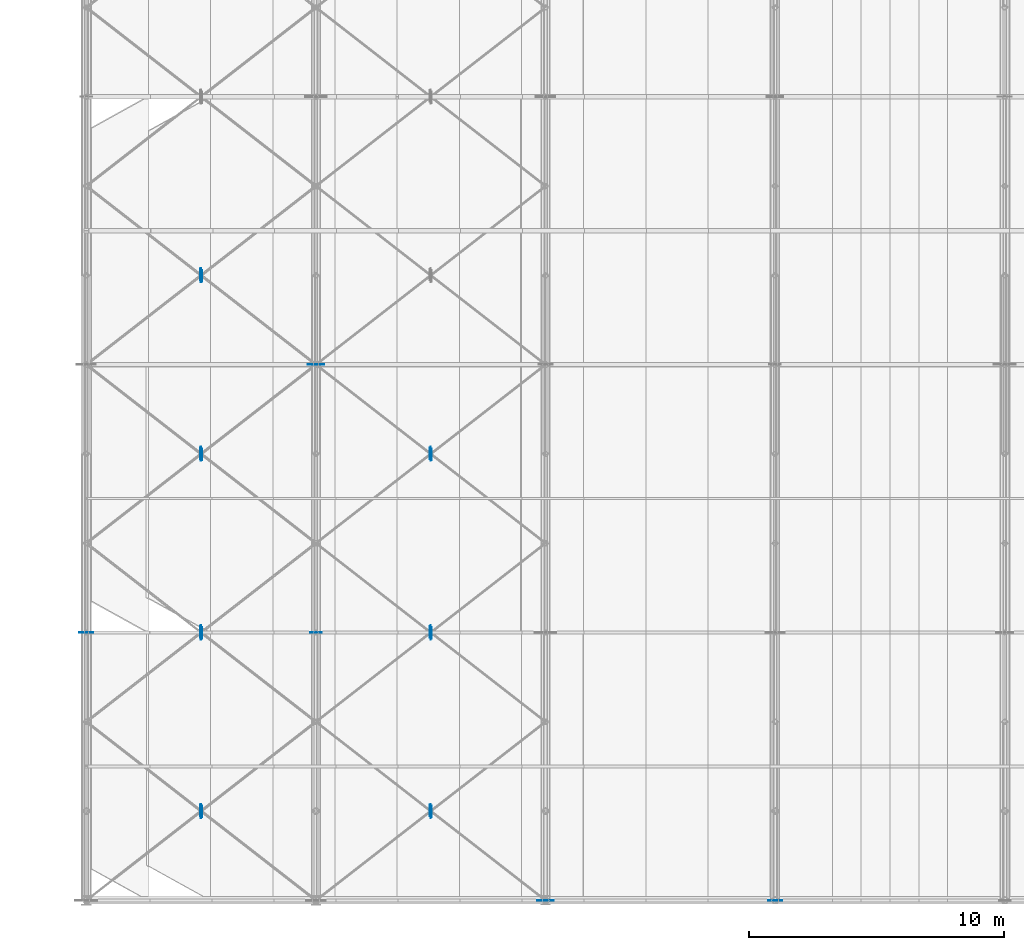
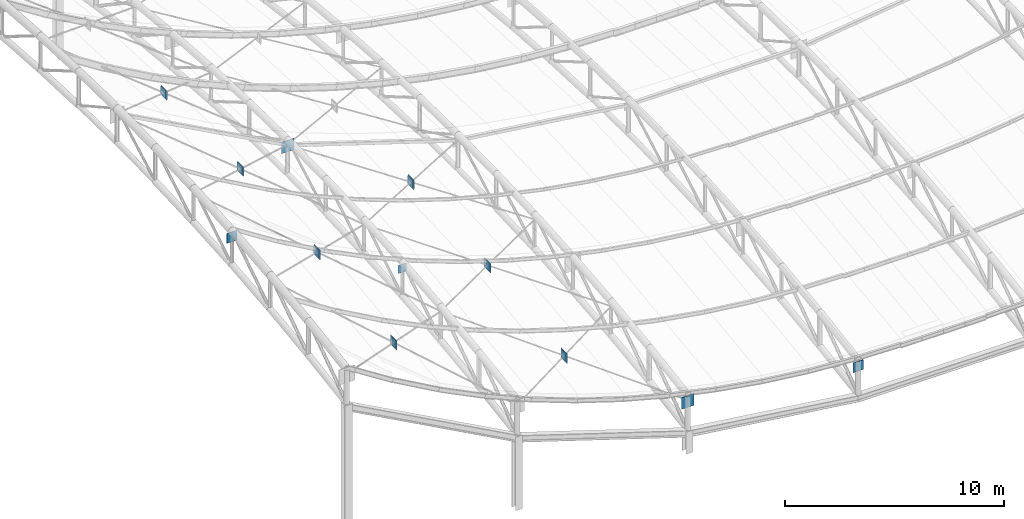
# One storey, part 238 of 262: 26 plates.
"""IFC4 building model written with IfcOpenShell, lengths in metres."""

from ifc_helpers import new_model, si_unit, derived_unit, direction, frame, origin, origin_2d, place, context, subcontext, project, spatial, rectangle, extrude, material, layer, layer_set, type_object, element, save


model = new_model("IFC4")

# Units and contexts
model_context = context("Model", 3, precision=1e-05, world=origin(), true_north=direction((0.0, 1.0)))
body_context = subcontext(model_context, "Body", "Model", "MODEL_VIEW")
ifc_project = project(units=[si_unit("LENGTHUNIT", "METRE"), si_unit("AREAUNIT", "SQUARE_METRE"), si_unit("VOLUMEUNIT", "CUBIC_METRE"), si_unit("PLANEANGLEUNIT", "RADIAN"), si_unit("MASSUNIT", "GRAM", prefix="KILO"), derived_unit("THERMALTRANSMITTANCEUNIT", [(si_unit("POWERUNIT", "WATT"), 1), (si_unit("LENGTHUNIT", "METRE"), -2), (si_unit("THERMODYNAMICTEMPERATUREUNIT", "KELVIN"), -1)])], contexts=[model_context])

# Site, building, storey
site_placement = place(None, origin())
site = spatial("IfcSite", under=ifc_project, at=site_placement, CompositionType="ELEMENT")
building_placement = place(site_placement, origin())
building = spatial("IfcBuilding", under=site, at=building_placement, Name="Almenara Railside Exhibition Hall", CompositionType="ELEMENT")
storey_placement = place(building_placement, frame((0.0, 0.0, 21.699951171875)))
storey = spatial("IfcBuildingStorey", under=building, at=storey_placement, Name="RF", CompositionType="ELEMENT", Elevation=21.699951171875)

# Plates
ifc_material = material(Name="Structural steel S355JR", Category="steel")
ifc_layer_1 = layer(ifc_material, 0.011962890625, Name="Structural steel S355JR")
ifc_layer_set_1 = layer_set([ifc_layer_1], Name="Structural steel S355JR")
plate_type_1 = type_object("IfcPlateType", Name="Truss Node Gusset Plate 12mm S355JR", PredefinedType="USERDEFINED", material=ifc_layer_set_1)
for number, where, z_axis, x_axis, name in (
    (1, (12.0, 10.5, -3.22412109375), (0.0, 0.0, 1.0), (1.0, 0.0, 0.0), "PLT-GUS-0231"),
    (2, (7.46875, 3.524169921875, -1.5341796875), (0.0, 0.0, 1.0), (0.0, 1.0, 0.0), "PLT-GUS-0271"),
    (3, (7.53125, 3.475830078125, -1.57470703125), (0.0, 0.0, 1.0), (0.0, 1.0, 0.0), "PLT-GUS-0272"),
    (4, (7.468505859375, 10.524658203125, -0.7353515625), (0.0, 0.0, 1.0), (0.0, 1.0, 0.0), "PLT-GUS-0274"),
    (5, (7.531494140625, 10.475341796875, -0.77392578125), (0.0, 0.0, 1.0), (0.0, 1.0, 0.0), "PLT-GUS-0275"),
    (6, (7.468017578125, 17.52490234375, -0.33642578125), (0.0, 0.0, 1.0), (0.0, 1.0, 0.0), "PLT-GUS-0277"),
    (7, (7.531982421875, 17.47509765625, -0.37255859375), (0.0, 0.0, 1.0), (0.0, 1.0, 0.0), "PLT-GUS-0278"),
    (8, (7.467529296875, 24.525146484375, -0.33740234375), (0.0, 0.0, 1.0), (0.0, 1.0, 0.0), "PLT-GUS-0280"),
    (9, (7.532470703125, 24.474853515625, -0.37109375), (0.0, 0.0, 1.0), (0.0, 1.0, 0.0), "PLT-GUS-0281"),
    (10, (16.4716796875, 3.522216796875, -5.427734375), (0.0, 0.0, 1.0), (0.0, 1.0, 0.0), "PLT-GUS-0289"),
    (11, (16.5283203125, 3.477783203125, -5.4521484375), (0.0, 0.0, 1.0), (0.0, 1.0, 0.0), "PLT-GUS-0290"),
    (12, (16.47119140625, 10.522216796875, -4.62841796875), (0.0, 0.0, 1.0), (0.0, 1.0, 0.0), "PLT-GUS-0292"),
    (13, (16.52880859375, 10.477783203125, -4.65087890625), (0.0, 0.0, 1.0), (0.0, 1.0, 0.0), "PLT-GUS-0293"),
    (14, (16.470947265625, 17.522705078125, -4.22998046875), (0.0, 0.0, 1.0), (0.0, 1.0, 0.0), "PLT-GUS-0295"),
    (15, (16.529052734375, 17.477294921875, -4.24951171875), (0.0, 0.0, 1.0), (0.0, 1.0, 0.0), "PLT-GUS-0296"),
):
    element("IfcPlate", number, at=place(storey_placement, frame(where, z_axis=z_axis, x_axis=x_axis)), inside=storey, type_object=plate_type_1, Name=name, ObjectType="GUSSET_PLATE", PredefinedType="USERDEFINED", context=body_context, shape_type="SweptSolid", body=[
        extrude(rectangle(XDim=0.449951171875, YDim=0.011962890625, at=origin_2d()), origin(), (0.0, 0.0, 1.0), 0.449951171875),
    ])
ifc_layer_2 = layer(ifc_material, 0.01611328125, Name="Structural steel S355JR")
ifc_layer_set_2 = layer_set([ifc_layer_2], Name="Structural steel S355JR")
plate_type_2 = type_object("IfcPlateType", Name="Truss Node Gusset Plate 16mm S355JR", PredefinedType="USERDEFINED", material=ifc_layer_set_2)
for number, where, z_axis, x_axis, name in (
    (16, (3.0, 10.5, 1.625), (0.0, 0.0, 1.0), (1.0, 0.0, 0.0), "PLT-GUS-0226"),
    (17, (30.0, 0.0, -8.6767578125), (0.0, 0.0, 1.0), (1.0, 0.0, 0.0), "PLT-GUS-0240"),
    (18, (7.5, 3.5, -1.6044921875), (0.0, 0.0, 1.0), (0.0, 1.0, 0.0), "PLT-GUS-0270"),
    (19, (7.5, 10.5, -0.8046875), (0.0, 0.0, 1.0), (0.0, 1.0, 0.0), "PLT-GUS-0273"),
    (20, (7.5, 17.5, -0.404296875), (0.0, 0.0, 1.0), (0.0, 1.0, 0.0), "PLT-GUS-0276"),
    (21, (7.5, 24.5, -0.404296875), (0.0, 0.0, 1.0), (0.0, 1.0, 0.0), "PLT-GUS-0279"),
    (22, (16.5, 3.5, -5.48974609375), (0.0, 0.0, 1.0), (0.0, 1.0, 0.0), "PLT-GUS-0288"),
    (23, (16.5, 10.5, -4.68994140625), (0.0, 0.0, 1.0), (0.0, 1.0, 0.0), "PLT-GUS-0291"),
    (24, (16.5, 17.5, -4.28955078125), (0.0, 0.0, 1.0), (0.0, 1.0, 0.0), "PLT-GUS-0294"),
):
    element("IfcPlate", number, at=place(storey_placement, frame(where, z_axis=z_axis, x_axis=x_axis)), inside=storey, type_object=plate_type_2, Name=name, ObjectType="GUSSET_PLATE", PredefinedType="USERDEFINED", context=body_context, shape_type="SweptSolid", body=[
        extrude(rectangle(XDim=0.550048828125, YDim=0.01611328125, at=origin_2d()), origin(), (0.0, 0.0, 1.0), 0.550048828125),
    ])
ifc_layer_3 = layer(ifc_material, 0.02001953125, Name="Structural steel S355JR")
ifc_layer_set_3 = layer_set([ifc_layer_3], Name="Structural steel S355JR")
plate_type_3 = type_object("IfcPlateType", Name="Truss Node Gusset Plate 20mm S355JR", PredefinedType="USERDEFINED", material=ifc_layer_set_3)
for number, where, z_axis, x_axis, name in (
    (25, (12.0, 21.0, -2.8740234375), (0.0, 0.0, 1.0), (1.0, 0.0, 0.0), "PLT-GUS-0232"),
    (26, (21.0, 0.0, -7.54541015625), (0.0, 0.0, 1.0), (1.0, 0.0, 0.0), "PLT-GUS-0235"),
):
    element("IfcPlate", number, at=place(storey_placement, frame(where, z_axis=z_axis, x_axis=x_axis)), inside=storey, type_object=plate_type_3, Name=name, ObjectType="GUSSET_PLATE", PredefinedType="USERDEFINED", context=body_context, shape_type="SweptSolid", body=[
        extrude(rectangle(XDim=0.64990234375, YDim=0.02001953125, at=origin_2d()), origin(), (0.0, 0.0, 1.0), 0.64990234375),
    ])

save(model, "model.ifc")
